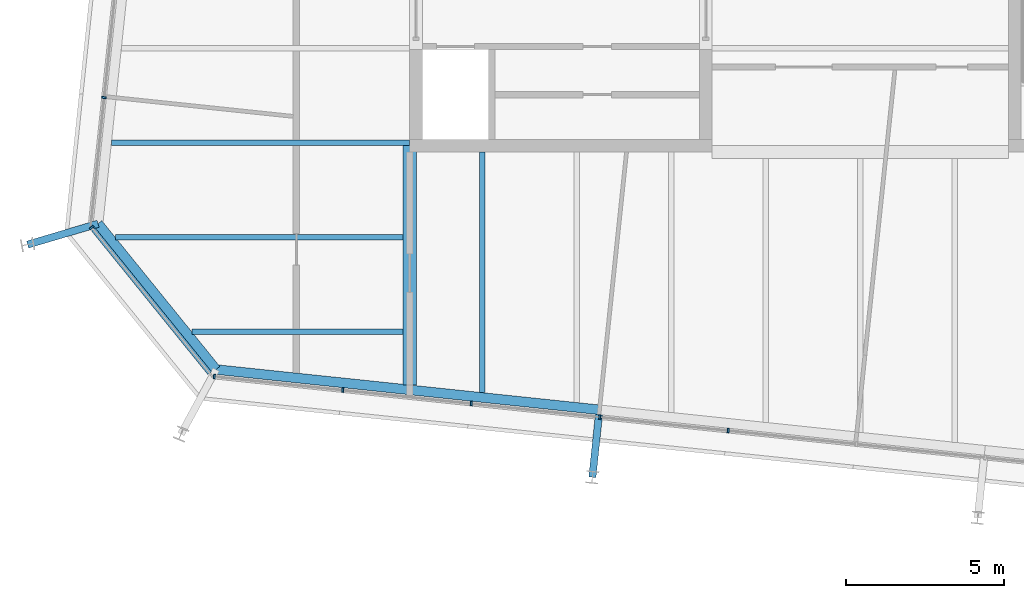
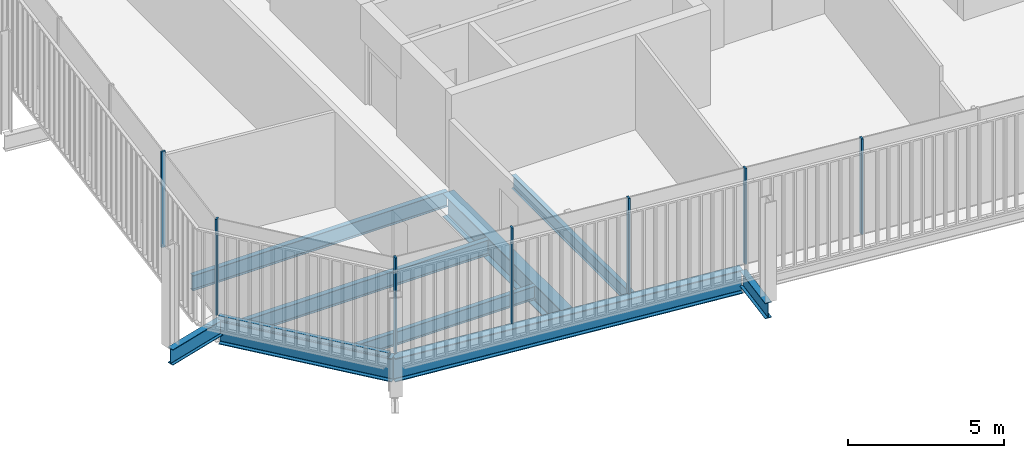
# One storey, part 3 of 20: 9 beams, 8 members, 3 elements without a shape of their own.
"""IFC4 building model written with IfcOpenShell, lengths in metres."""

from ifc_helpers import new_model, si_unit, direction, frame, origin, origin_2d, place, context, subcontext, project, spatial, rectangle, i_section, extrude, material, layer, layer_set, material_profile, profile_set, type_object, element, aggregate, save


model = new_model("IFC4")

# Units and contexts
model_context = context("Model", 3, precision=1e-05, world=origin(), true_north=direction((0.0, 1.0)))
body_context = subcontext(model_context, "Body", "Model", "MODEL_VIEW")
ifc_project = project(units=[si_unit("LENGTHUNIT", "METRE"), si_unit("AREAUNIT", "SQUARE_METRE"), si_unit("VOLUMEUNIT", "CUBIC_METRE"), si_unit("PLANEANGLEUNIT", "RADIAN"), si_unit("MASSUNIT", "GRAM", prefix="KILO")], contexts=[model_context])

# Site, building, storey
site_placement = place(None, origin())
site = spatial("IfcSite", under=ifc_project, at=site_placement, CompositionType="ELEMENT")
building_placement = place(site_placement, origin())
building = spatial("IfcBuilding", under=site, at=building_placement, Name="Millrace Tower", CompositionType="ELEMENT")
storey_placement = place(building_placement, frame((0.0, 0.0, 295.5)))
storey = spatial("IfcBuildingStorey", under=building, at=storey_placement, Name="L68", CompositionType="ELEMENT", Elevation=295.5)

# Curtain wall, member
ifc_material_1 = material(Name="Aluminium and glass", Category="aluminium")
ifc_layer = layer(ifc_material_1, 0.14990234375)
ifc_layer_set = layer_set([ifc_layer], Name="Aluminium and glass")
curtain_wall_type = type_object("IfcCurtainWallType", Name="CW-1 office vision curtain wall", PredefinedType="NOTDEFINED", material=ifc_layer_set)
placement = place(storey_placement, origin())
curtain_wall_1 = element("IfcCurtainWall", 1, at=placement, inside=storey, type_object=curtain_wall_type, Name="Curtain wall E-F01 L68", PredefinedType="NOTDEFINED")
ifc_material_2 = material(Name="Aluminium", Category="aluminium")
ifc_material_profile_1 = material_profile(ifc_material_2, rectangle(XDim=0.06494140625, YDim=0.14990234375, at=origin_2d()))
ifc_profile_set_1 = profile_set([ifc_material_profile_1], Name="Aluminium")
member_type_1 = type_object("IfcMemberType", Name="CW-1 office vision curtain wall mullion", PredefinedType="MULLION", material=ifc_profile_set_1)
member_1_placement = place(storey_placement, frame((-24.391845703125, -11.693359375, 0.139892578125), z_axis=(0.0, 0.0, 1.0), x_axis=(0.629320278945, -0.777146052237, 0.0)))
member_1 = element("IfcMember", 2, at=member_1_placement, type_object=member_type_1, Name="CW1 mullion E-F01.1", PredefinedType="MULLION", context=body_context, shape_type="SweptSolid", body=[
    extrude(rectangle(XDim=0.06494140625, YDim=0.14990234375, at=origin_2d()), origin(), (0.0, 0.0, 1.0), 3.760009765625),
])

# Curtain wall, members
curtain_wall_2 = element("IfcCurtainWall", 3, at=placement, inside=storey, type_object=curtain_wall_type, Name="Curtain wall E-F02 L68", PredefinedType="NOTDEFINED")
member_2_placement = place(storey_placement, frame((-20.50244140625, -16.4248046875, 0.139892578125), z_axis=(0.0, 0.0, 1.0), x_axis=(0.994521896217, -0.104528455196, 0.0)))
member_2 = element("IfcMember", 4, at=member_2_placement, type_object=member_type_1, Name="CW1 mullion E-F02.1", PredefinedType="MULLION", context=body_context, shape_type="SweptSolid", body=[
    extrude(rectangle(XDim=0.06494140625, YDim=0.14990234375, at=origin_2d()), origin(), (0.0, 0.0, 1.0), 3.760009765625),
])
member_3_placement = place(storey_placement, frame((-16.425048828125, -16.853271484375, 0.139892578125), z_axis=(0.0, 0.0, 1.0), x_axis=(0.994521896217, -0.104528455196, 0.0)))
member_3 = element("IfcMember", 5, at=member_3_placement, type_object=member_type_1, Name="CW1 mullion E-F02.2", PredefinedType="MULLION", context=body_context, shape_type="SweptSolid", body=[
    extrude(rectangle(XDim=0.06494140625, YDim=0.14990234375, at=origin_2d()), origin(), (0.0, 0.0, 1.0), 3.760009765625),
])
member_4_placement = place(storey_placement, frame((-12.347412109375, -17.281982421875, 0.139892578125), z_axis=(0.0, 0.0, 1.0), x_axis=(0.994521896217, -0.104528455196, 0.0)))
member_4 = element("IfcMember", 6, at=member_4_placement, type_object=member_type_1, Name="CW1 mullion E-F02.3", PredefinedType="MULLION", context=body_context, shape_type="SweptSolid", body=[
    extrude(rectangle(XDim=0.06494140625, YDim=0.14990234375, at=origin_2d()), origin(), (0.0, 0.0, 1.0), 3.760009765625),
])
member_5_placement = place(storey_placement, frame((-8.269775390625, -17.71044921875, 0.139892578125), z_axis=(0.0, 0.0, 1.0), x_axis=(0.994521896217, -0.104528455196, 0.0)))
member_5 = element("IfcMember", 7, at=member_5_placement, type_object=member_type_1, Name="CW1 mullion E-F02.4", PredefinedType="MULLION", context=body_context, shape_type="SweptSolid", body=[
    extrude(rectangle(XDim=0.06494140625, YDim=0.14990234375, at=origin_2d()), origin(), (0.0, 0.0, 1.0), 3.760009765625),
])
member_6_placement = place(storey_placement, frame((-4.1923828125, -18.13916015625, 0.139892578125), z_axis=(0.0, 0.0, 1.0), x_axis=(0.994521896217, -0.104528455196, 0.0)))
member_6 = element("IfcMember", 8, at=member_6_placement, type_object=member_type_1, Name="CW1 mullion E-F02.5", PredefinedType="MULLION", context=body_context, shape_type="SweptSolid", body=[
    extrude(rectangle(XDim=0.06494140625, YDim=0.14990234375, at=origin_2d()), origin(), (0.0, 0.0, 1.0), 3.760009765625),
])
aggregate(curtain_wall_2, [member_2, member_3, member_4, member_5, member_6])

# Curtain wall, member
curtain_wall_3 = element("IfcCurtainWall", 9, at=placement, inside=storey, type_object=curtain_wall_type, Name="Curtain wall E-F08 L68", PredefinedType="NOTDEFINED")
member_7_placement = place(storey_placement, frame((-24.00341796875, -7.56787109375, 0.139892578125), z_axis=(0.0, 0.0, 1.0), x_axis=(-0.104528455196, -0.994521896217, 0.0)))
member_7 = element("IfcMember", 10, at=member_7_placement, type_object=member_type_1, Name="CW1 mullion E-F08.9", PredefinedType="MULLION", context=body_context, shape_type="SweptSolid", body=[
    extrude(rectangle(XDim=0.06494140625, YDim=0.14990234375, at=origin_2d()), origin(), (0.0, 0.0, 1.0), 3.760009765625),
])
aggregate(curtain_wall_3, [member_7])

# Member
ifc_material_3 = material(Name="Aluminium", Category="aluminium")
ifc_material_profile_2 = material_profile(ifc_material_3, rectangle(XDim=0.14990234375, YDim=0.139892578125, at=origin_2d()))
ifc_profile_set_2 = profile_set([ifc_material_profile_2], Name="Aluminium")
member_type_2 = type_object("IfcMemberType", Name="CW-1 office vision curtain wall transom", PredefinedType="USERDEFINED", material=ifc_profile_set_2)
member_8_placement = place(storey_placement, frame((-24.349365234375, -11.745849609375, 0.070068359375), z_axis=(0.629321221277, -0.777145289151, 0.0), x_axis=(0.777145289151, 0.629321221277, 0.0)))
member_8 = element("IfcMember", 11, at=member_8_placement, type_object=member_type_2, Name="CW1 transom E-F01.1", ObjectType="TRANSOM", PredefinedType="USERDEFINED", context=body_context, shape_type="SweptSolid", body=[
    extrude(rectangle(XDim=0.14990234375, YDim=0.139892578125, at=origin_2d()), origin(), (0.0, 0.0, 1.0), 5.881103515625),
])

aggregate(curtain_wall_1, [member_1, member_8])

# Beams
ifc_material_4 = material(Name="Steel ASTM A992 Grade 50", Category="steel")
ifc_material_profile_3 = material_profile(ifc_material_4, i_section(OverallWidth=0.1650390625, OverallDepth=0.52587890625, WebThickness=0.0087890625, FlangeThickness=0.011474609375, FilletRadius=0.0126953125, at=origin_2d()))
ifc_profile_set_3 = profile_set([ifc_material_profile_3], Name="Steel ASTM A992 Grade 50")
beam_type_1 = type_object("IfcBeamType", Name="Floor beam W21x44", PredefinedType="JOIST", material=ifc_profile_set_3)
beam_1_placement = place(storey_placement, frame((-12.0, -16.93408203125, -0.4228515625), z_axis=(0.0, 1.0, 0.0), x_axis=(-1.0, 0.0, 0.0)))
element("IfcBeam", 12, at=beam_1_placement, inside=storey, type_object=beam_type_1, Name="BM-E-L68-S1-S037", PredefinedType="JOIST", context=body_context, shape_type="SweptSolid", body=[
    extrude(i_section(OverallWidth=0.1650390625, OverallDepth=0.52587890625, WebThickness=0.0087890625, FlangeThickness=0.011474609375, FilletRadius=0.0126953125, at=origin_2d()), origin(), (0.0, 0.0, 1.0), 7.634033203125),
])
beam_2_placement = place(storey_placement, frame((-21.214111328125, -15.0, -0.4228515625), z_axis=(1.0, 0.0, 0.0), x_axis=(0.0, 1.0, 0.0)))
element("IfcBeam", 13, at=beam_2_placement, inside=storey, type_object=beam_type_1, Name="BM-E-L68-S1-S002", PredefinedType="JOIST", context=body_context, shape_type="SweptSolid", body=[
    extrude(i_section(OverallWidth=0.1650390625, OverallDepth=0.52587890625, WebThickness=0.0087890625, FlangeThickness=0.011474609375, FilletRadius=0.0126953125, at=origin_2d()), origin(), (0.0, 0.0, 1.0), 6.70458984375),
])
ifc_material_5 = material(Name="Steel ASTM A992 Grade 50", Category="steel")
ifc_material_profile_4 = material_profile(ifc_material_5, i_section(OverallWidth=0.177978515625, OverallDepth=0.599365234375, WebThickness=0.010009765625, FlangeThickness=0.012939453125, FilletRadius=0.012939453125, at=origin_2d()))
ifc_profile_set_4 = profile_set([ifc_material_profile_4], Name="Steel ASTM A992 Grade 50")
beam_type_2 = type_object("IfcBeamType", Name="Floor beam W24x55", PredefinedType="JOIST", material=ifc_profile_set_4)
beam_3_placement = place(storey_placement, frame((-23.76953125, -9.0, -0.459716796875), z_axis=(1.0, 0.0, 0.0), x_axis=(0.0, 1.0, 0.0)))
element("IfcBeam", 14, at=beam_3_placement, inside=storey, type_object=beam_type_2, Name="BM-E-L68-S1-S006", PredefinedType="JOIST", context=body_context, shape_type="SweptSolid", body=[
    extrude(i_section(OverallWidth=0.177978515625, OverallDepth=0.599365234375, WebThickness=0.010009765625, FlangeThickness=0.012939453125, FilletRadius=0.012939453125, at=origin_2d()), origin(), (0.0, 0.0, 1.0), 9.469482421875),
])
beam_4_placement = place(storey_placement, frame((-23.635498046875, -12.0, -0.459716796875), z_axis=(1.0, 0.0, 0.0), x_axis=(0.0, 1.0, 0.0)))
element("IfcBeam", 15, at=beam_4_placement, inside=storey, type_object=beam_type_2, Name="BM-E-L68-S1-S004", PredefinedType="JOIST", context=body_context, shape_type="SweptSolid", body=[
    extrude(i_section(OverallWidth=0.177978515625, OverallDepth=0.599365234375, WebThickness=0.010009765625, FlangeThickness=0.012939453125, FilletRadius=0.012939453125, at=origin_2d()), origin(), (0.0, 0.0, 1.0), 9.1259765625),
])
ifc_material_6 = material(Name="Steel ASTM A992 Grade 50", Category="steel")
ifc_material_profile_5 = material_profile(ifc_material_6, i_section(OverallWidth=0.419189453125, OverallDepth=0.927001953125, WebThickness=0.019287109375, FlangeThickness=0.031982421875, FilletRadius=0.024169921875, at=origin_2d()))
ifc_profile_set_5 = profile_set([ifc_material_profile_5], Name="Steel ASTM A992 Grade 50")
beam_type_3 = type_object("IfcBeamType", Name="Girder short span W36x231", PredefinedType="BEAM", material=ifc_profile_set_5)
beam_5_placement = place(storey_placement, frame((-14.300048828125, -16.6923828125, -0.62353515625), z_axis=(0.0, 1.0, 0.0), x_axis=(-1.0, 0.0, 0.0)))
element("IfcBeam", 16, at=beam_5_placement, inside=storey, type_object=beam_type_3, Name="BM-E-L68-S1-G055", PredefinedType="BEAM", context=body_context, shape_type="SweptSolid", body=[
    extrude(i_section(OverallWidth=0.419189453125, OverallDepth=0.927001953125, WebThickness=0.019287109375, FlangeThickness=0.031982421875, FilletRadius=0.024169921875, at=origin_2d()), origin(), (0.0, 0.0, 1.0), 7.600341796875),
])
ifc_material_7 = material(Name="Steel ASTM A992 Grade 50", Category="steel")
ifc_material_profile_6 = material_profile(ifc_material_7, i_section(OverallWidth=0.23046875, OverallDepth=0.6171875, WebThickness=0.01318359375, FlangeThickness=0.022216796875, FilletRadius=0.012939453125, at=origin_2d()))
ifc_profile_set_6 = profile_set([ifc_material_profile_6], Name="Steel ASTM A992 Grade 50")
beam_type_4 = type_object("IfcBeamType", Name="Link beam W24x94", PredefinedType="BEAM", material=ifc_profile_set_6)
beam_6_placement = place(storey_placement, frame((-24.1943359375, -11.57373046875, -0.468505859375), z_axis=(-0.958815015936, -0.284031275065, 0.0), x_axis=(0.284031275065, -0.958815015936, 0.0)))
element("IfcBeam", 17, at=beam_6_placement, inside=storey, type_object=beam_type_4, Name="LNK-E-L68-S1-01", PredefinedType="BEAM", context=body_context, shape_type="SweptSolid", body=[
    extrude(i_section(OverallWidth=0.23046875, OverallDepth=0.6171875, WebThickness=0.01318359375, FlangeThickness=0.022216796875, FilletRadius=0.012939453125, at=origin_2d()), origin(), (0.0, 0.0, 1.0), 2.3310546875),
])
beam_7_placement = place(storey_placement, frame((-8.29443359375, -17.632568359375, -0.468505859375), z_axis=(-0.104494148666, -0.99452550138, 0.0), x_axis=(0.99452550138, -0.104494148666, 0.0)))
element("IfcBeam", 18, at=beam_7_placement, inside=storey, type_object=beam_type_4, Name="LNK-E-L68-S1-15", PredefinedType="BEAM", context=body_context, shape_type="SweptSolid", body=[
    extrude(i_section(OverallWidth=0.23046875, OverallDepth=0.6171875, WebThickness=0.01318359375, FlangeThickness=0.022216796875, FilletRadius=0.012939453125, at=origin_2d()), origin(), (0.0, 0.0, 1.0), 2.0),
])
ifc_material_8 = material(Name="Steel ASTM A992 Grade 50", Category="steel")
ifc_material_profile_7 = material_profile(ifc_material_8, i_section(OverallWidth=0.307373046875, OverallDepth=0.927001953125, WebThickness=0.01953125, FlangeThickness=0.031982421875, FilletRadius=0.01904296875, at=origin_2d()))
ifc_profile_set_7 = profile_set([ifc_material_profile_7], Name="Steel ASTM A992 Grade 50")
beam_type_5 = type_object("IfcBeamType", Name="Ring beam medium span W36x194", PredefinedType="SPANDREL", material=ifc_profile_set_7)
beam_8_placement = place(storey_placement, frame((-8.2783203125, -17.479736328125, -0.62353515625), z_axis=(-0.994521730693, 0.104530030035, 0.0), x_axis=(-0.104530030035, -0.994521730693, 0.0)))
element("IfcBeam", 19, at=beam_8_placement, inside=storey, type_object=beam_type_5, Name="RNG-E-L68-S1-15", PredefinedType="SPANDREL", context=body_context, shape_type="SweptSolid", body=[
    extrude(i_section(OverallWidth=0.307373046875, OverallDepth=0.927001953125, WebThickness=0.01953125, FlangeThickness=0.031982421875, FilletRadius=0.01904296875, at=origin_2d()), origin(), (0.0, 0.0, 1.0), 12.236328125),
])
ifc_material_9 = material(Name="Steel ASTM A992 Grade 50", Category="steel")
ifc_material_profile_8 = material_profile(ifc_material_9, i_section(OverallWidth=0.307373046875, OverallDepth=0.927001953125, WebThickness=0.01953125, FlangeThickness=0.031982421875, FilletRadius=0.01904296875, at=origin_2d()))
ifc_profile_set_8 = profile_set([ifc_material_profile_8], Name="Steel ASTM A992 Grade 50")
beam_type_6 = type_object("IfcBeamType", Name="Ring beam short span W36x194", PredefinedType="SPANDREL", material=ifc_profile_set_8)
beam_9_placement = place(storey_placement, frame((-20.447509765625, -16.20068359375, -0.62353515625), z_axis=(-0.629319722443, 0.777146502883, 0.0), x_axis=(-0.777146502883, -0.629319722443, 0.0)))
element("IfcBeam", 20, at=beam_9_placement, inside=storey, type_object=beam_type_6, Name="RNG-E-L68-S1-16", PredefinedType="SPANDREL", context=body_context, shape_type="SweptSolid", body=[
    extrude(i_section(OverallWidth=0.307373046875, OverallDepth=0.927001953125, WebThickness=0.01953125, FlangeThickness=0.031982421875, FilletRadius=0.01904296875, at=origin_2d()), origin(), (0.0, 0.0, 1.0), 5.953857421875),
])

save(model, "model.ifc")
